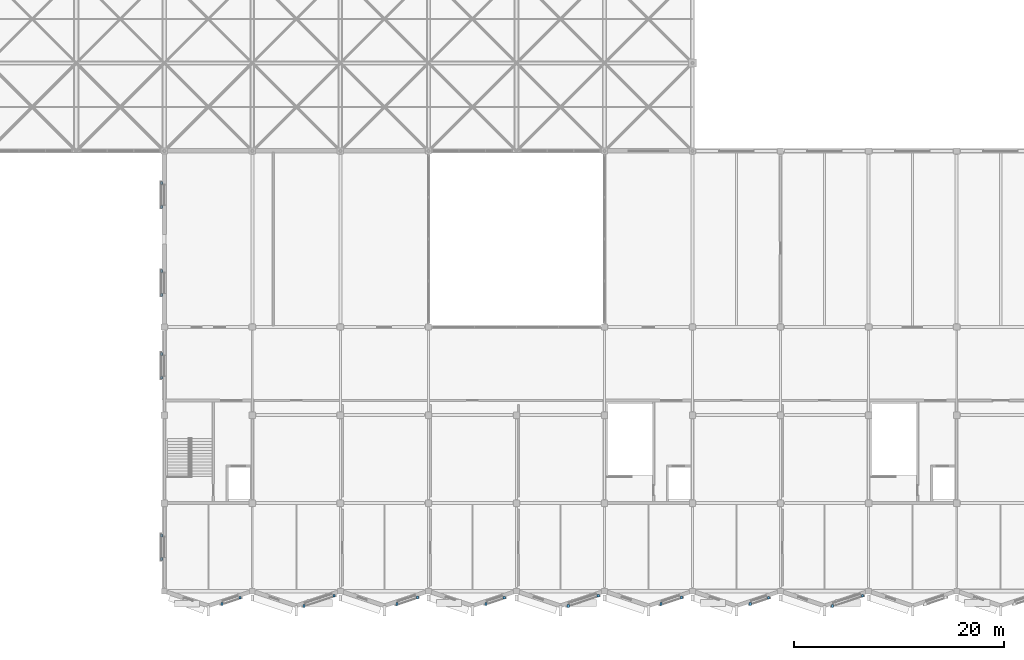
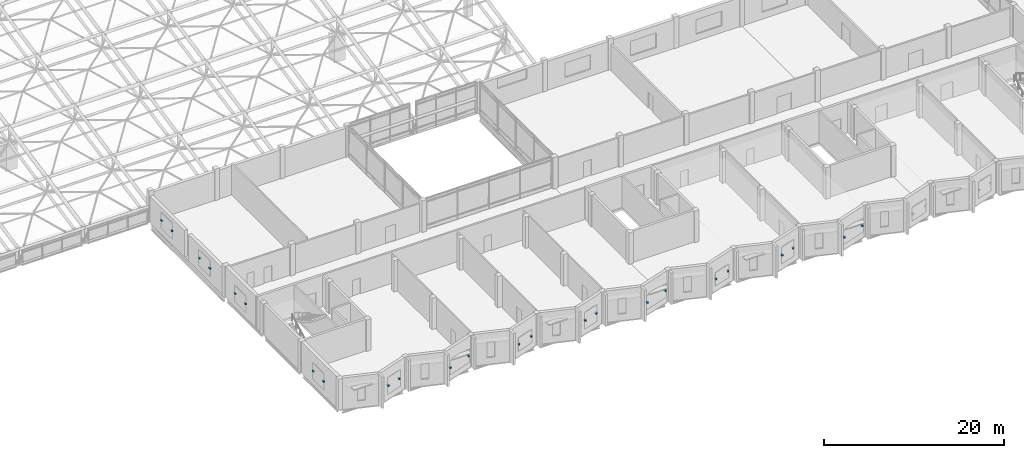
# One storey, part 79 of 81: 24 discrete accessories.
"""IFC4 building model written with IfcOpenShell, lengths in metres."""

from ifc_helpers import new_model, si_unit, direction, frame, origin, origin_2d, place, context, subcontext, project, spatial, rectangle, extrude, material, type_object, element, save


model = new_model("IFC4")

# Units and contexts
model_context = context("Model", 3, precision=1e-05, world=origin(), true_north=direction((0.0, 1.0)))
body_context = subcontext(model_context, "Body", "Model", "MODEL_VIEW")
ifc_project = project(units=[si_unit("LENGTHUNIT", "METRE"), si_unit("AREAUNIT", "SQUARE_METRE"), si_unit("VOLUMEUNIT", "CUBIC_METRE"), si_unit("PLANEANGLEUNIT", "RADIAN"), si_unit("MASSUNIT", "GRAM", prefix="KILO")], contexts=[model_context])

# Site, building, storey
site_placement = place(None, origin())
site = spatial("IfcSite", under=ifc_project, at=site_placement, CompositionType="ELEMENT")
building_placement = place(site_placement, origin())
building = spatial("IfcBuilding", under=site, at=building_placement, Name="Qawsi Khor Wholesale Market", CompositionType="ELEMENT")
storey_placement = place(building_placement, frame((0.0, 0.0, 16.199951171875)))
storey = spatial("IfcBuildingStorey", under=building, at=storey_placement, Name="L03", CompositionType="ELEMENT", Elevation=16.199951171875)

# Discrete accessories
ifc_material = material(Name="Steel S355", Category="steel")
discrete_accessory_type = type_object("IfcDiscreteAccessoryType", Name="Screen Fixing Bracket Steel S355", PredefinedType="BRACKET", material=ifc_material)
for number, where, z_axis, x_axis, name in (
    (1, (32.43505859375, -0.62548828125, 1.875), (0.0, 0.0, 1.0), (1.0, 0.0, 0.0), "Screen bracket 041-1"),
    (2, (30.70849609375, -1.200927734375, 1.875), (0.0, 0.0, 1.0), (1.0, 0.0, 0.0), "Screen bracket 041-2"),
    (3, (41.404296875, -0.435791015625, 1.67529296875), (0.0, 0.0, 1.0), (1.0, 0.0, 0.0), "Screen bracket 042-1"),
    (4, (38.539306640625, -1.390869140625, 1.67529296875), (0.0, 0.0, 1.0), (1.0, 0.0, 0.0), "Screen bracket 042-2"),
    (5, (49.33935546875, -0.5908203125, 1.64990234375), (0.0, 0.0, 1.0), (1.0, 0.0, 0.0), "Screen bracket 043-1"),
    (6, (47.404052734375, -1.23583984375, 1.64990234375), (0.0, 0.0, 1.0), (1.0, 0.0, 0.0), "Screen bracket 043-2"),
    (7, (57.635009765625, -0.62548828125, 1.875), (0.0, 0.0, 1.0), (1.0, 0.0, 0.0), "Screen bracket 044-1"),
    (8, (55.908447265625, -1.200927734375, 1.875), (0.0, 0.0, 1.0), (1.0, 0.0, 0.0), "Screen bracket 044-2"),
    (9, (66.604248046875, -0.435791015625, 1.67529296875), (0.0, 0.0, 1.0), (1.0, 0.0, 0.0), "Screen bracket 045-1"),
    (10, (63.7392578125, -1.390869140625, 1.67529296875), (0.0, 0.0, 1.0), (1.0, 0.0, 0.0), "Screen bracket 045-2"),
    (11, (74.539306640625, -0.5908203125, 1.64990234375), (0.0, 0.0, 1.0), (1.0, 0.0, 0.0), "Screen bracket 046-1"),
    (12, (72.60400390625, -1.23583984375, 1.64990234375), (0.0, 0.0, 1.0), (1.0, 0.0, 0.0), "Screen bracket 046-2"),
    (13, (82.835205078125, -0.62548828125, 1.875), (0.0, 0.0, 1.0), (1.0, 0.0, 0.0), "Screen bracket 047-1"),
    (14, (81.1083984375, -1.200927734375, 1.875), (0.0, 0.0, 1.0), (1.0, 0.0, 0.0), "Screen bracket 047-2"),
    (15, (91.80419921875, -0.435791015625, 1.67529296875), (0.0, 0.0, 1.0), (1.0, 0.0, 0.0), "Screen bracket 048-1"),
    (16, (88.939208984375, -1.390869140625, 1.67529296875), (0.0, 0.0, 1.0), (1.0, 0.0, 0.0), "Screen bracket 048-2"),
    (17, (24.945068359375, 3.06494140625, 1.875), (0.0, 0.0, 1.0), (1.0, 0.0, 0.0), "Screen bracket 064-1"),
    (18, (24.945068359375, 5.3349609375, 1.875), (0.0, 0.0, 1.0), (1.0, 0.0, 0.0), "Screen bracket 064-2"),
    (19, (24.945068359375, 20.364990234375, 1.875), (0.0, 0.0, 1.0), (1.0, 0.0, 0.0), "Screen bracket 065-1"),
    (20, (24.945068359375, 22.635009765625, 1.875), (0.0, 0.0, 1.0), (1.0, 0.0, 0.0), "Screen bracket 065-2"),
    (21, (24.945068359375, 28.264892578125, 1.875), (0.0, 0.0, 1.0), (1.0, 0.0, 0.0), "Screen bracket 066-1"),
    (22, (24.945068359375, 30.534912109375, 1.875), (0.0, 0.0, 1.0), (1.0, 0.0, 0.0), "Screen bracket 066-2"),
    (23, (24.945068359375, 36.6650390625, 1.875), (0.0, 0.0, 1.0), (1.0, 0.0, 0.0), "Screen bracket 067-1"),
    (24, (24.945068359375, 38.93505859375, 1.875), (0.0, 0.0, 1.0), (1.0, 0.0, 0.0), "Screen bracket 067-2"),
):
    element("IfcDiscreteAccessory", number, at=place(storey_placement, frame(where, z_axis=z_axis, x_axis=x_axis)), inside=storey, type_object=discrete_accessory_type, Name=name, PredefinedType="BRACKET", context=body_context, shape_type="SweptSolid", body=[
        extrude(rectangle(XDim=0.199951171875, YDim=0.280029296875, at=origin_2d()), origin(), (0.0, 0.0, 1.0), 0.199951171875),
    ])

save(model, "model.ifc")
